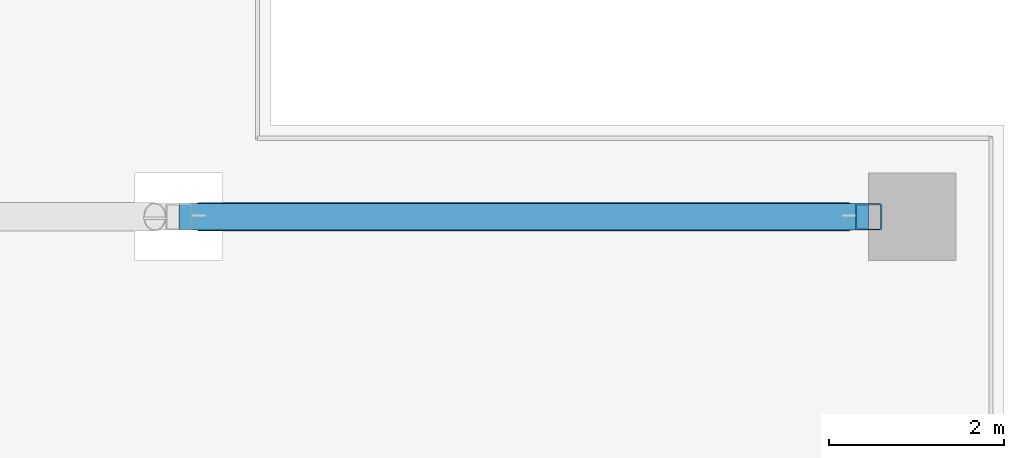
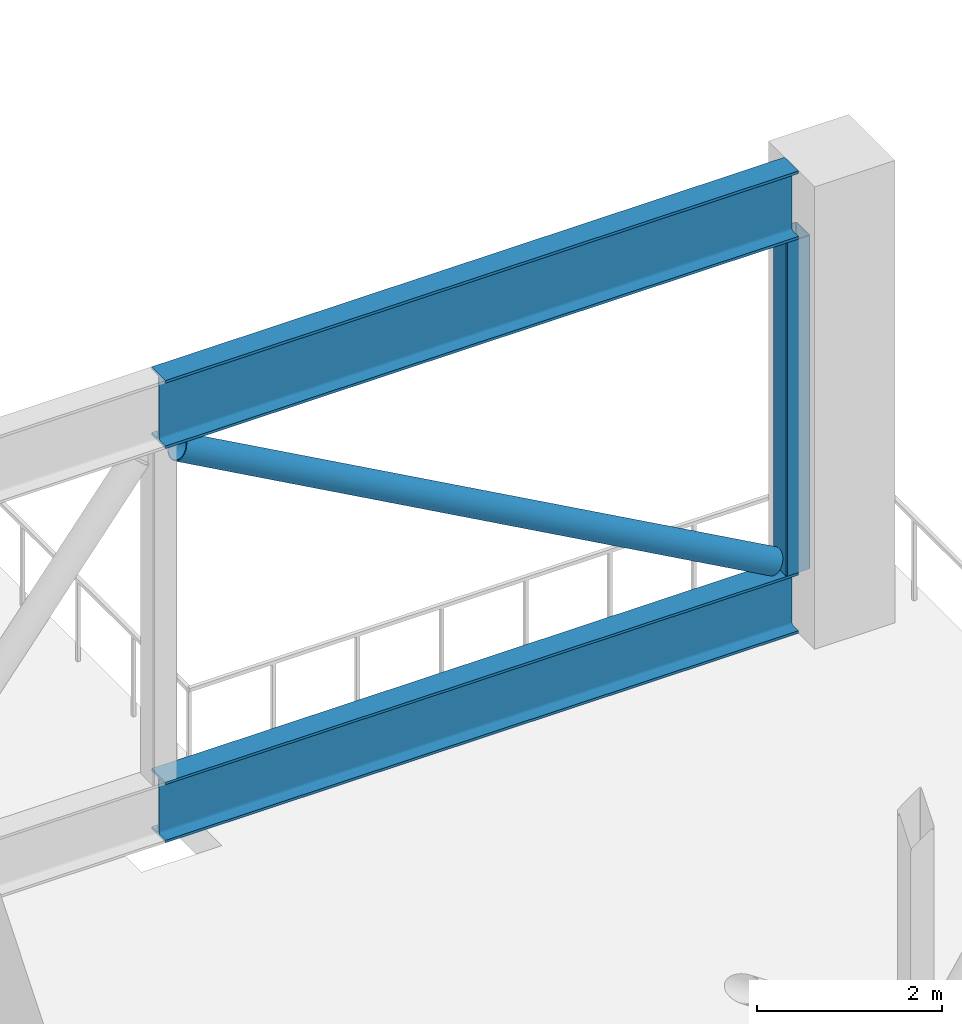
# One storey, part 5 of 24: 4 members.
"""IFC4 building model written with IfcOpenShell, lengths in metres."""

import ifcopenshell
import ifcopenshell.guid

model = None  # the IFC model being written
_history = None  # IfcOwnerHistory: only IFC2X3 demands one
_inside = {}  # id of a spatial element -> (the spatial element, [elements in it])
_under = {}  # id of a project, library or spatial element -> (it, [spatial elements below it])
_declared = {}  # id of a project -> (the project, [libraries it declares])
_typed = {}  # id of a type object -> (the type object, [elements of that type])
_made_of = {}  # id of a material, layer set ... -> (it, [elements and type objects made of it])


def new_model(schema):
    """Start an empty IFC model of exactly this schema.

    Asked for "IFC4X3", IfcOpenShell would pick the latest addendum, in which some entities
    have other attributes; the version numbers below select the first issue.
    IFC2X3 requires an IfcOwnerHistory on every rooted entity: one is made here for all.
    """
    global model, _history
    if schema == "IFC4X3":
        model = ifcopenshell.file(schema_version=(4, 3, 0, 0))
    else:
        model = ifcopenshell.file(schema=schema)
    _inside.clear()
    _under.clear()
    _declared.clear()
    _typed.clear()
    _made_of.clear()
    _history = None
    if model.schema == "IFC2X3":
        org = make("IfcOrganization", Name="unknown")
        user = make(
            "IfcPersonAndOrganization",
            ThePerson=make("IfcPerson", FamilyName="unknown"),
            TheOrganization=org,
        )
        app = make(
            "IfcApplication",
            ApplicationDeveloper=org,
            Version="unknown",
            ApplicationFullName="unknown",
            ApplicationIdentifier="unknown",
        )
        _history = make(
            "IfcOwnerHistory",
            OwningUser=user,
            OwningApplication=app,
            ChangeAction="ADDED",
            CreationDate=0,
        )
    return model


def make(cls, **values):
    """One entity of the class cls with the attributes given. An attribute that is None is left unset."""
    return model.create_entity(
        cls, **{name: value for name, value in values.items() if value is not None}
    )


def rooted(cls, **values):
    """An entity with a GlobalId (a new one), such as an element, a storey or a relation."""
    return make(cls, GlobalId=ifcopenshell.guid.new(), OwnerHistory=_history, **values)


def si_unit(unit_type, name, prefix=None):
    """IfcSIUnit, for example si_unit("LENGTHUNIT", "METRE", prefix="MILLI")."""
    return make("IfcSIUnit", UnitType=unit_type, Prefix=prefix, Name=name)


def assignment(units):
    """IfcUnitAssignment: the units of a project."""
    return None if units is None else make("IfcUnitAssignment", Units=units)


def point(xyz):
    """IfcCartesianPoint."""
    return None if xyz is None else make("IfcCartesianPoint", Coordinates=xyz)


def direction(xyz):
    """IfcDirection."""
    return None if xyz is None else make("IfcDirection", DirectionRatios=xyz)


def frame(location, z_axis=None, x_axis=None):
    """IfcAxis2Placement3D, a coordinate frame: its origin and axes. An axis left out is left unset."""
    return make(
        "IfcAxis2Placement3D",
        Location=point(location),
        Axis=direction(z_axis),
        RefDirection=direction(x_axis),
    )


def frame_2d(location, x_axis=None):
    """IfcAxis2Placement2D, a coordinate frame in the plane: its origin and x axis."""
    return make(
        "IfcAxis2Placement2D", Location=point(location), RefDirection=direction(x_axis)
    )


def origin():
    """The frame at (0, 0, 0) with its axes left unset."""
    return frame((0.0, 0.0, 0.0))


def origin_2d():
    """The frame at (0, 0) in the plane with its x axis left unset."""
    return frame_2d((0.0, 0.0))


def place(relative_to, where):
    """IfcLocalPlacement: puts the frame where relative to a parent placement (None: the world)."""
    return make(
        "IfcLocalPlacement", PlacementRelTo=relative_to, RelativePlacement=where
    )


def context(
    kind, dimensions, precision=None, world=None, true_north=None, identifier=None
):
    """IfcGeometricRepresentationContext, for example the 3D "Model" context."""
    return make(
        "IfcGeometricRepresentationContext",
        ContextIdentifier=identifier,
        ContextType=kind,
        CoordinateSpaceDimension=dimensions,
        Precision=precision,
        WorldCoordinateSystem=world,
        TrueNorth=true_north,
    )


def subcontext(parent, identifier, kind, view, scale=None):
    """IfcGeometricRepresentationSubContext, for example "Body" below "Model"."""
    return make(
        "IfcGeometricRepresentationSubContext",
        ContextIdentifier=identifier,
        ContextType=kind,
        ParentContext=parent,
        TargetScale=scale,
        TargetView=view,
    )


def project(units=None, contexts=None):
    """IfcProject with its units and contexts."""
    return rooted(
        "IfcProject",
        Name="project",
        RepresentationContexts=contexts,
        UnitsInContext=assignment(units),
    )


def spatial(cls, under=None, at=None, **own):
    """A site, building, storey or space (cls), placed at a placement, below another one or the project."""
    s = rooted(cls, ObjectPlacement=at, **own)
    if under is not None:
        _under.setdefault(under.id(), (under, []))[1].append(s)
    return s


def profile(cls, at=None, kind="AREA", **sizes):
    """A parametric profile (cls). Its sizes go by their IFC names, for example OverallWidth=200.0."""
    return make(cls, ProfileType=kind, Position=at, **sizes)


def hollow_rectangle(**sizes):
    """IfcRectangleHollowProfileDef."""
    return profile("IfcRectangleHollowProfileDef", **sizes)


def hollow_circle(**sizes):
    """IfcCircleHollowProfileDef."""
    return profile("IfcCircleHollowProfileDef", **sizes)


def i_section(**sizes):
    """IfcIShapeProfileDef."""
    return profile("IfcIShapeProfileDef", **sizes)


def extrude(swept, where, along, depth):
    """IfcExtrudedAreaSolid: the profile swept, set in the frame where, extruded along a direction by depth."""
    return make(
        "IfcExtrudedAreaSolid",
        SweptArea=swept,
        Position=where,
        ExtrudedDirection=direction(along),
        Depth=depth,
    )


def shape(context_of_items, identifier, shape_type, items):
    """IfcShapeRepresentation: the items that make up one representation, for example the "Body"."""
    return make(
        "IfcShapeRepresentation",
        ContextOfItems=context_of_items,
        RepresentationIdentifier=identifier,
        RepresentationType=shape_type,
        Items=items,
    )


def material(Name=None, Category=None):
    """IfcMaterial."""
    return make("IfcMaterial", Name=Name, Category=Category)


def material_profile(
    of_material, cross_section, Name=None, Category=None, Priority=None
):
    """IfcMaterialProfile: a cross section and its material."""
    return make(
        "IfcMaterialProfile",
        Name=Name,
        Material=of_material,
        Profile=cross_section,
        Priority=Priority,
        Category=Category,
    )


def profile_set(profiles, Name=None, composite=None):
    """IfcMaterialProfileSet."""
    return make(
        "IfcMaterialProfileSet",
        Name=Name,
        MaterialProfiles=profiles,
        CompositeProfile=composite,
    )


def made_of(thing, what):
    """Note that an element or type object is made of a material, layer set ...; save() writes the relation."""
    if what is not None:
        _made_of.setdefault(what.id(), (what, []))[1].append(thing)
    return thing


def type_object(cls, material=None, **own):
    """A type object (cls), such as IfcWallType, which elements share."""
    return made_of(rooted(cls, **own), material)


def element(
    cls,
    number,
    at=None,
    inside=None,
    cuts=None,
    type_object=None,
    material=None,
    context=None,
    identifier="Body",
    shape_type=None,
    held_by="IfcProductDefinitionShape",
    body=None,
    shapes=None,
    **own,
):
    """One element of the class cls, such as IfcWall. Its Tag is "e" and its number.

    at: its placement. inside: the storey or other place that contains it. cuts: it is an
    opening in that element (IfcRelVoidsElement). A single representation is given by context,
    identifier, shape_type and body (its items); several are given by shapes. held_by: the class
    of the entity that holds the representations. save() writes the other relations.
    """
    e = rooted(cls, Tag="e%d" % number, ObjectPlacement=at, **own)
    if body is not None:
        shapes = [shape(context, identifier, shape_type, body)]
    if shapes is not None:
        e.Representation = make(held_by, Representations=shapes)
    if inside is not None:
        _inside.setdefault(inside.id(), (inside, []))[1].append(e)
    if cuts is not None:
        rooted(
            "IfcRelVoidsElement", RelatingBuildingElement=cuts, RelatedOpeningElement=e
        )
    if type_object is not None:
        _typed.setdefault(type_object.id(), (type_object, []))[1].append(e)
    return made_of(e, material)


def aggregate(whole, parts):
    """IfcRelAggregates: a whole, such as a stair, and the parts it consists of."""
    return rooted("IfcRelAggregates", RelatingObject=whole, RelatedObjects=parts)


def save(model, path):
    """Write the relations noted so far, then the file.

    IfcRelAggregates (storeys below a building ...), IfcRelContainedInSpatialStructure (elements
    in a storey), IfcRelDefinesByType, IfcRelAssociatesMaterial and IfcRelDeclares: one each for
    every whole, place, type object, material and project.
    """
    for whole, parts in _under.values():
        aggregate(whole, parts)
    for where, things in _inside.values():
        rooted(
            "IfcRelContainedInSpatialStructure",
            RelatedElements=things,
            RelatingStructure=where,
        )
    for kind, things in _typed.values():
        rooted("IfcRelDefinesByType", RelatedObjects=things, RelatingType=kind)
    for what, things in _made_of.values():
        rooted("IfcRelAssociatesMaterial", RelatedObjects=things, RelatingMaterial=what)
    for by, libraries in _declared.values():
        rooted("IfcRelDeclares", RelatingContext=by, RelatedDefinitions=libraries)
    model.write(path)


model = new_model("IFC4")

# Units and contexts
model_context = context("Model", 3, precision=1e-05, world=origin(), true_north=direction((0.0, 1.0)))
body_context = subcontext(model_context, "Body", "Model", "MODEL_VIEW")
ifc_project = project(units=[si_unit("LENGTHUNIT", "METRE"), si_unit("AREAUNIT", "SQUARE_METRE"), si_unit("VOLUMEUNIT", "CUBIC_METRE"), si_unit("PLANEANGLEUNIT", "RADIAN"), si_unit("MASSUNIT", "GRAM", prefix="KILO")], contexts=[model_context])

# Site, building, storey
site_placement = place(None, origin())
site = spatial("IfcSite", under=ifc_project, at=site_placement, CompositionType="ELEMENT")
building_placement = place(site_placement, origin())
building = spatial("IfcBuilding", under=site, at=building_placement, Name="Vermilion Ogive Tower", CompositionType="ELEMENT")
storey_placement = place(building_placement, frame((0.0, 0.0, 216.949951171875)))
storey = spatial("IfcBuildingStorey", under=building, at=storey_placement, Name="L57", CompositionType="ELEMENT", Elevation=216.949951171875)

# Members
ifc_material_1 = material(Name="Steel S355", Category="steel")
ifc_material_profile_1 = material_profile(ifc_material_1, i_section(OverallWidth=0.300048828125, OverallDepth=0.800048828125, WebThickness=0.017578125, FlangeThickness=0.032958984375, FilletRadius=0.030029296875, at=origin_2d()), Name="HEB 800")
ifc_profile_set_1 = profile_set([ifc_material_profile_1], Name="Steel S355")
member_type_1 = type_object("IfcMemberType", Name="Outrigger truss bottom chord HEB 800", PredefinedType="CHORD", material=ifc_profile_set_1)
member_1_placement = place(storey_placement, frame((16.800048828125, 12.60009765625, 0.400146484375), z_axis=(1.0, 0.0, 0.0), x_axis=(0.0, 1.0, 0.0)))
element("IfcMember", 1, at=member_1_placement, inside=storey, type_object=member_type_1, Name="L57-TR-EWE+12.6-B2", PredefinedType="CHORD", context=body_context, shape_type="SweptSolid", body=[
    extrude(i_section(OverallWidth=0.300048828125, OverallDepth=0.800048828125, WebThickness=0.017578125, FlangeThickness=0.032958984375, FilletRadius=0.030029296875, at=origin_2d()), origin(), (0.0, 0.0, 1.0), 7.89990234375),
])
ifc_material_2 = material(Name="Steel S355", Category="steel")
ifc_material_profile_2 = material_profile(ifc_material_2, hollow_circle(Radius=0.161865234375, WallThickness=0.012451171875, at=origin_2d()), Name="CHS 323.9x12.5")
ifc_profile_set_2 = profile_set([ifc_material_profile_2], Name="Steel S355")
member_type_2 = type_object("IfcMemberType", Name="Outrigger truss diagonal CHS 323.9x12.5", PredefinedType="BRACE", material=ifc_profile_set_2)
member_2_placement = place(storey_placement, frame((17.03076171875, 12.60009765625, 5.060302734375), z_axis=(0.874749792667, 0.0, -0.484574865453), x_axis=(0.0, 1.0, 0.0)))
element("IfcMember", 2, at=member_2_placement, inside=storey, type_object=member_type_2, Name="L57-TR-EWE+12.6-D1", PredefinedType="BRACE", context=body_context, shape_type="SweptSolid", body=[
    extrude(hollow_circle(Radius=0.161865234375, WallThickness=0.012451171875, at=origin_2d()), origin(), (0.0, 0.0, 1.0), 8.503662109375),
])
ifc_material_3 = material(Name="Steel S355", Category="steel")
ifc_material_profile_3 = material_profile(ifc_material_3, hollow_rectangle(XDim=0.300048828125, YDim=0.300048828125, WallThickness=0.012451171875, InnerFilletRadius=0.012451171875, OuterFilletRadius=0.018798828125, at=origin_2d()), Name="RHS 300x300x12.5")
ifc_profile_set_3 = profile_set([ifc_material_profile_3], Name="Steel S355")
member_type_3 = type_object("IfcMemberType", Name="Outrigger truss post RHS 300x300x12.5", PredefinedType="POST", material=ifc_profile_set_3)
member_3_placement = place(storey_placement, frame((24.699951171875, 12.60009765625, 0.800048828125), z_axis=(0.0, 0.0, 1.0), x_axis=(1.0, 0.0, 0.0)))
element("IfcMember", 3, at=member_3_placement, inside=storey, type_object=member_type_3, Name="L57-TR-EWE+12.6-P2", PredefinedType="POST", context=body_context, shape_type="SweptSolid", body=[
    extrude(hollow_rectangle(XDim=0.300048828125, YDim=0.300048828125, WallThickness=0.012451171875, InnerFilletRadius=0.012451171875, OuterFilletRadius=0.018798828125, at=origin_2d()), origin(), (0.0, 0.0, 1.0), 4.39990234375),
])
ifc_material_4 = material(Name="Steel S355", Category="steel")
ifc_material_profile_4 = material_profile(ifc_material_4, i_section(OverallWidth=0.300048828125, OverallDepth=0.89990234375, WebThickness=0.0185546875, FlangeThickness=0.034912109375, FilletRadius=0.030029296875, at=origin_2d()), Name="HEB 900")
ifc_profile_set_4 = profile_set([ifc_material_profile_4], Name="Steel S355")
member_type_4 = type_object("IfcMemberType", Name="Outrigger truss top chord HEB 900", PredefinedType="CHORD", material=ifc_profile_set_4)
member_4_placement = place(storey_placement, frame((16.800048828125, 12.60009765625, 5.650146484375), z_axis=(1.0, 0.0, 0.0), x_axis=(0.0, 1.0, 0.0)))
element("IfcMember", 4, at=member_4_placement, inside=storey, type_object=member_type_4, Name="L57-TR-EWE+12.6-T4", PredefinedType="CHORD", context=body_context, shape_type="SweptSolid", body=[
    extrude(i_section(OverallWidth=0.300048828125, OverallDepth=0.89990234375, WebThickness=0.0185546875, FlangeThickness=0.034912109375, FilletRadius=0.030029296875, at=origin_2d()), origin(), (0.0, 0.0, 1.0), 7.89990234375),
])

save(model, "model.ifc")
